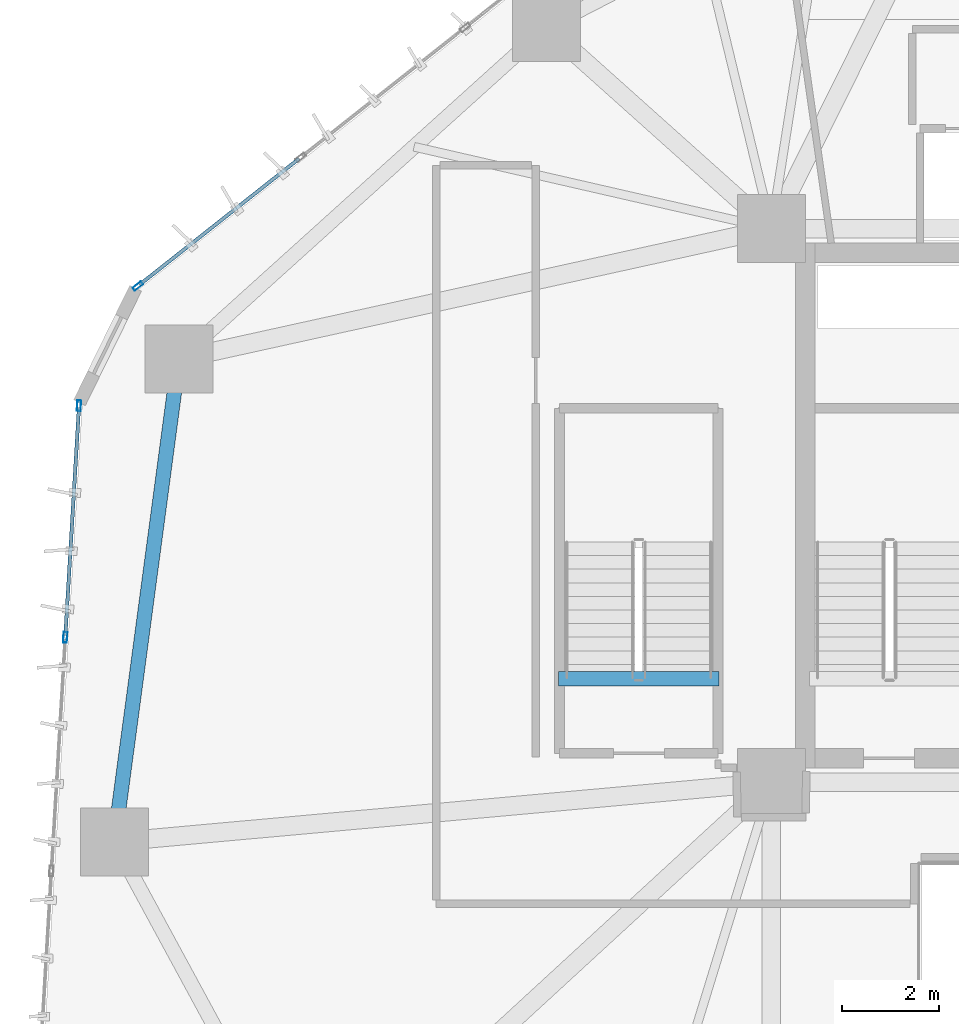
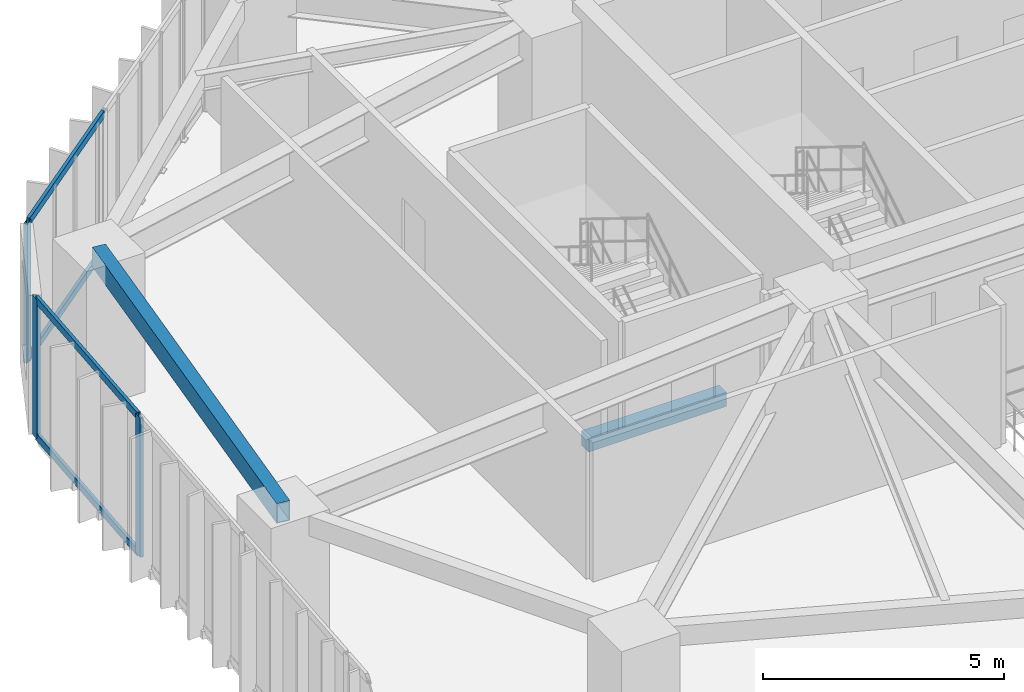
# One storey, part 6 of 24: 7 members, 2 beams, 2 elements without a shape of their own.
"""IFC4 building model written with IfcOpenShell, lengths in metres."""

from ifc_helpers import new_model, si_unit, direction, frame, origin, origin_2d, place, context, subcontext, project, spatial, rectangle, hollow_rectangle, extrude, source, transform, mapped, material, layer, layer_set, material_profile, profile_set, type_object, type_shapes, element, aggregate, save


model = new_model("IFC4")

# Units and contexts
model_context = context("Model", 3, precision=1e-05, world=origin(), true_north=direction((0.0, 1.0)))
body_context = subcontext(model_context, "Body", "Model", "MODEL_VIEW")
ifc_project = project(units=[si_unit("LENGTHUNIT", "METRE"), si_unit("AREAUNIT", "SQUARE_METRE"), si_unit("VOLUMEUNIT", "CUBIC_METRE"), si_unit("PLANEANGLEUNIT", "RADIAN"), si_unit("MASSUNIT", "GRAM", prefix="KILO")], contexts=[model_context])

# Site, building, storey
site_placement = place(None, origin())
site = spatial("IfcSite", under=ifc_project, at=site_placement, CompositionType="ELEMENT")
building_placement = place(site_placement, origin())
building = spatial("IfcBuilding", under=site, at=building_placement, Name="Talar Marvaseh", CompositionType="ELEMENT")
storey_placement = place(building_placement, frame((0.0, 0.0, 73.39990234375)))
storey = spatial("IfcBuildingStorey", under=building, at=storey_placement, Name="L18", CompositionType="ELEMENT", Elevation=73.39990234375)

# Beams
ifc_material_1 = material(Name="Concrete C40/50", Category="concrete")
ifc_material_profile_1 = material_profile(ifc_material_1, rectangle(XDim=0.300048828125, YDim=0.360107421875, at=origin_2d()), Name="RC300x360")
ifc_profile_set_1 = profile_set([ifc_material_profile_1], Name="Concrete C40/50")
beam_type_1 = type_object("IfcBeamType", Name="Concrete Stair Landing Trimmer Beam RC300x360", PredefinedType="SPANDREL", material=ifc_profile_set_1)
beam_1_placement = place(storey_placement, frame((17.6201171875, 27.6298828125, -0.179931640625), z_axis=(-1.0, 0.0, 0.0), x_axis=(0.0, -1.0, 0.0)))
element("IfcBeam", 1, at=beam_1_placement, inside=storey, type_object=beam_type_1, Name="L18 ST-3 Stair Nosing Trimmer Beam", PredefinedType="SPANDREL", context=body_context, shape_type="SweptSolid", body=[
    extrude(rectangle(XDim=0.300048828125, YDim=0.360107421875, at=origin_2d()), origin(), (0.0, 0.0, 1.0), 3.300048828125),
])
ifc_material_2 = material(Name="Steel S355", Category="steel")
ifc_material_profile_2 = material_profile(ifc_material_2, hollow_rectangle(XDim=0.300048828125, YDim=0.5, WallThickness=0.02001953125, at=origin_2d()), Name="RHS500x300x20")
ifc_profile_set_2 = profile_set([ifc_material_profile_2], Name="Steel S355")
beam_type_2 = type_object("IfcBeamType", Name="Zone 1 Perimeter Spandrel Beam RHS500x300x20", PredefinedType="SPANDREL", material=ifc_profile_set_2)
beam_2_placement = place(storey_placement, frame((5.175048828125, 24.27587890625, 3.27001953125), z_axis=(0.132340758564, 0.991204279461, 0.0), x_axis=(-0.991204279461, 0.132340758564, 0.0)))
element("IfcBeam", 2, at=beam_2_placement, inside=storey, type_object=beam_type_2, Name="L18 Zone 1 Perimeter Spandrel Beam RHS500x300x20", PredefinedType="SPANDREL", context=body_context, shape_type="SweptSolid", body=[
    extrude(hollow_rectangle(XDim=0.300048828125, YDim=0.5, WallThickness=0.02001953125, at=origin_2d()), origin(), (0.0, 0.0, 1.0), 10.0263671875),
])

# Curtain wall, members
ifc_material_3 = material(Name="Architectural Aluminium", Category="aluminium")
ifc_layer = layer(ifc_material_3, 0.219970703125)
ifc_layer_set = layer_set([ifc_layer], Name="Architectural Aluminium")
curtain_wall_type = type_object("IfcCurtainWallType", Name="Unitised Low-E Museum Curtain Wall Z1", PredefinedType="NOTDEFINED", material=ifc_layer_set)
curtain_wall_1_placement = place(storey_placement, origin())
curtain_wall_1 = element("IfcCurtainWall", 3, at=curtain_wall_1_placement, inside=storey, type_object=curtain_wall_type, Name="L18 Unitised Low-E Museum Curtain Wall Z1", PredefinedType="NOTDEFINED")
ifc_material_profile_3 = material_profile(ifc_material_3, hollow_rectangle(XDim=0.080078125, YDim=0.219970703125, WallThickness=0.0048828125, at=origin_2d()), Name="RHS220x80x5")
ifc_profile_set_3 = profile_set([ifc_material_profile_3], Name="Architectural Aluminium")
member_type_1 = type_object("IfcMemberType", Name="Unitised Curtain Wall Heavy Mullion RHS220x80x5", PredefinedType="MULLION", material=ifc_profile_set_3)
shared_shape_1 = source(origin(), body_context, "Body", "SweptSolid", [
    extrude(hollow_rectangle(XDim=0.080078125, YDim=0.219970703125, WallThickness=0.0048828125, at=origin_2d()), origin(), (0.0, 0.0, 1.0), 3.52001953125),
])
type_shapes(member_type_1, [shared_shape_1])
member_1_placement = place(storey_placement, frame((4.16552734375, 28.485595703125, 0.0), z_axis=(0.0, 0.0, 1.0), x_axis=(-0.99823587745, 0.059372830241, 0.0)))
member_1 = element("IfcMember", 4, at=member_1_placement, type_object=member_type_1, Name="CW-Z1 mullion 4", PredefinedType="MULLION", context=body_context, shape_type="MappedRepresentation", body=[
    mapped(shared_shape_1, transform((0.0, 0.0, 0.0), x_axis=(1.0, 0.0, 0.0), y_axis=(0.0, 1.0, 0.0), z_axis=(0.0, 0.0, 1.0), scale=1.0)),
])
member_2_placement = place(storey_placement, frame((4.448974609375, 33.253662109375, 0.0), z_axis=(0.0, 0.0, 1.0), x_axis=(-0.99823587745, 0.059372830241, 0.0)))
member_2 = element("IfcMember", 5, at=member_2_placement, type_object=member_type_1, Name="CW-Z1 mullion 5", PredefinedType="MULLION", context=body_context, shape_type="MappedRepresentation", body=[
    mapped(shared_shape_1, transform((0.0, 0.0, 0.0), x_axis=(1.0, 0.0, 0.0), y_axis=(0.0, 1.0, 0.0), z_axis=(0.0, 0.0, 1.0), scale=1.0)),
])

curtain_wall_2_placement = place(storey_placement, origin())
curtain_wall_2 = element("IfcCurtainWall", 6, at=curtain_wall_2_placement, inside=storey, type_object=curtain_wall_type, Name="L18 Unitised Low-E Museum Curtain Wall Z1", PredefinedType="NOTDEFINED")
member_3_placement = place(storey_placement, frame((5.660400390625, 35.71728515625, 0.0), z_axis=(0.0, 0.0, 1.0), x_axis=(-0.620022257974, 0.784584220857, 0.0)))
member_3 = element("IfcMember", 7, at=member_3_placement, type_object=member_type_1, Name="CW-Z1 mullion 1", PredefinedType="MULLION", context=body_context, shape_type="MappedRepresentation", body=[
    mapped(shared_shape_1, transform((0.0, 0.0, 0.0), x_axis=(1.0, 0.0, 0.0), y_axis=(0.0, 1.0, 0.0), z_axis=(0.0, 0.0, 1.0), scale=1.0)),
])
ifc_material_profile_4 = material_profile(ifc_material_3, hollow_rectangle(XDim=0.074951171875, YDim=0.179931640625, WallThickness=0.0048828125, at=origin_2d()), Name="RHS180x75x5")
ifc_profile_set_4 = profile_set([ifc_material_profile_4], Name="Architectural Aluminium")
member_type_2 = type_object("IfcMemberType", Name="Unitised Curtain Wall Transom RHS180x75x5", PredefinedType="USERDEFINED", material=ifc_profile_set_4)
shared_shape_2 = source(origin(), body_context, "Body", "SweptSolid", [
    extrude(hollow_rectangle(XDim=0.074951171875, YDim=0.179931640625, WallThickness=0.0048828125, at=origin_2d()), origin(), (0.0, 0.0, 1.0), 4.19189453125),
])
member_4_placement = place(storey_placement, frame((5.69189453125, 35.7421875, 0.03759765625), z_axis=(0.784571084284, 0.620038880802, 0.0), x_axis=(-0.620038880802, 0.784571084284, 0.0)))
member_4 = element("IfcMember", 8, at=member_4_placement, type_object=member_type_2, Name="CW-Z1 transom 1.1", ObjectType="TRANSOM", PredefinedType="USERDEFINED", context=body_context, shape_type="MappedRepresentation", body=[
    mapped(shared_shape_2, transform((0.0, 0.0, 0.0), x_axis=(1.0, 0.0, 0.0), y_axis=(0.0, 1.0, 0.0), z_axis=(0.0, 0.0, 1.0), scale=1.0)),
])
member_5_placement = place(storey_placement, frame((5.69189453125, 35.7421875, 3.482666015625), z_axis=(0.784571084284, 0.620038880802, 0.0), x_axis=(-0.620038880802, 0.784571084284, 0.0)))
member_5 = element("IfcMember", 9, at=member_5_placement, type_object=member_type_2, Name="CW-Z1 transom 1.2", ObjectType="TRANSOM", PredefinedType="USERDEFINED", context=body_context, shape_type="MappedRepresentation", body=[
    mapped(shared_shape_2, transform((0.0, 0.0, 0.0), x_axis=(1.0, 0.0, 0.0), y_axis=(0.0, 1.0, 0.0), z_axis=(0.0, 0.0, 1.0), scale=1.0)),
])
aggregate(curtain_wall_2, [member_3, member_4, member_5])

# Member
shared_shape_3 = source(origin(), body_context, "Body", "SweptSolid", [
    extrude(hollow_rectangle(XDim=0.074951171875, YDim=0.179931640625, WallThickness=0.0048828125, at=origin_2d()), origin(), (0.0, 0.0, 1.0), 4.696533203125),
])
type_shapes(member_type_2, [shared_shape_2, shared_shape_3])
member_6_placement = place(storey_placement, frame((4.167724609375, 28.525634765625, 0.03759765625), z_axis=(0.059364990082, 0.998236343735, 0.0), x_axis=(-0.998236343735, 0.059364990082, 0.0)))
member_6 = element("IfcMember", 10, at=member_6_placement, type_object=member_type_2, Name="CW-Z1 transom 4.1", ObjectType="TRANSOM", PredefinedType="USERDEFINED", context=body_context, shape_type="MappedRepresentation", body=[
    mapped(shared_shape_3, transform((0.0, 0.0, 0.0), x_axis=(1.0, 0.0, 0.0), y_axis=(0.0, 1.0, 0.0), z_axis=(0.0, 0.0, 1.0), scale=1.0)),
])

member_7_placement = place(storey_placement, frame((4.167724609375, 28.525634765625, 3.482666015625), z_axis=(0.059364990082, 0.998236343735, 0.0), x_axis=(-0.998236343735, 0.059364990082, 0.0)))
member_7 = element("IfcMember", 11, at=member_7_placement, type_object=member_type_2, Name="CW-Z1 transom 4.2", ObjectType="TRANSOM", PredefinedType="USERDEFINED", context=body_context, shape_type="MappedRepresentation", body=[
    mapped(shared_shape_3, transform((0.0, 0.0, 0.0), x_axis=(1.0, 0.0, 0.0), y_axis=(0.0, 1.0, 0.0), z_axis=(0.0, 0.0, 1.0), scale=1.0)),
])

aggregate(curtain_wall_1, [member_1, member_2, member_6, member_7])

save(model, "model.ifc")
